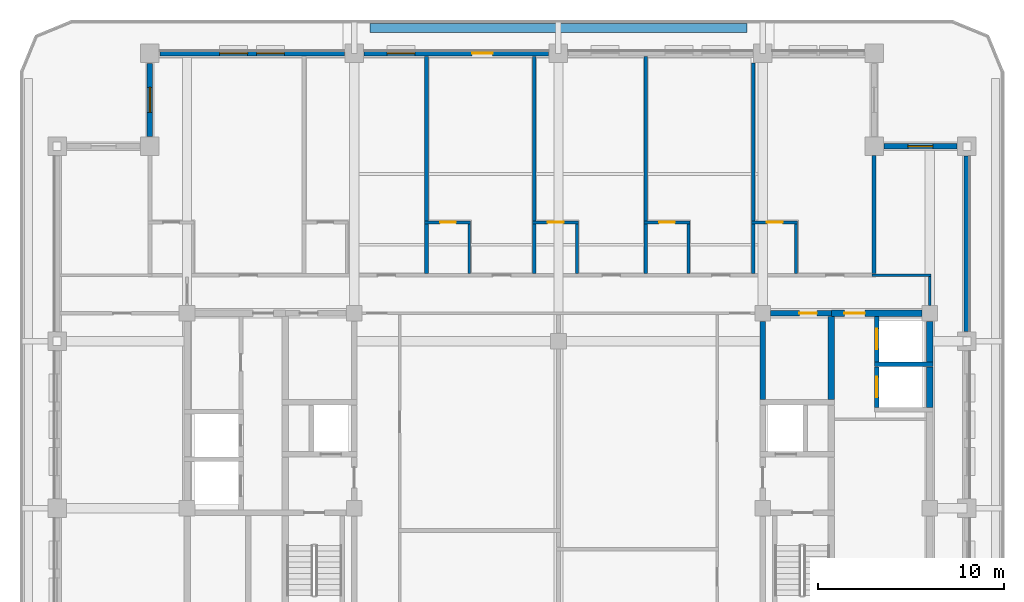
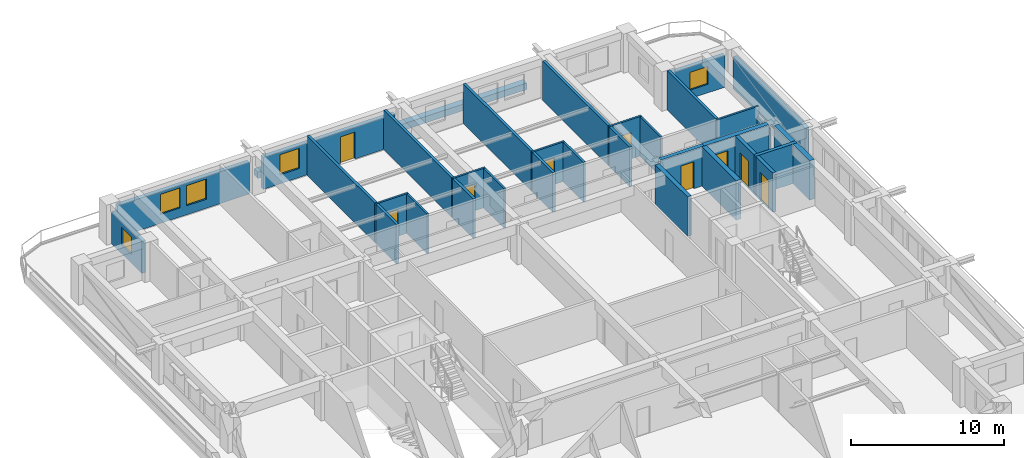
# One storey, part 6 of 14: 34 walls, 9 doors, 5 windows, 14 openings.
"""IFC4 building model written with IfcOpenShell, lengths in metres."""

import ifcopenshell
import ifcopenshell.guid

model = None  # the IFC model being written
_history = None  # IfcOwnerHistory: only IFC2X3 demands one
_inside = {}  # id of a spatial element -> (the spatial element, [elements in it])
_under = {}  # id of a project, library or spatial element -> (it, [spatial elements below it])
_declared = {}  # id of a project -> (the project, [libraries it declares])
_typed = {}  # id of a type object -> (the type object, [elements of that type])
_made_of = {}  # id of a material, layer set ... -> (it, [elements and type objects made of it])


def new_model(schema):
    """Start an empty IFC model of exactly this schema.

    Asked for "IFC4X3", IfcOpenShell would pick the latest addendum, in which some entities
    have other attributes; the version numbers below select the first issue.
    IFC2X3 requires an IfcOwnerHistory on every rooted entity: one is made here for all.
    """
    global model, _history
    if schema == "IFC4X3":
        model = ifcopenshell.file(schema_version=(4, 3, 0, 0))
    else:
        model = ifcopenshell.file(schema=schema)
    _inside.clear()
    _under.clear()
    _declared.clear()
    _typed.clear()
    _made_of.clear()
    _history = None
    if model.schema == "IFC2X3":
        org = make("IfcOrganization", Name="unknown")
        user = make(
            "IfcPersonAndOrganization",
            ThePerson=make("IfcPerson", FamilyName="unknown"),
            TheOrganization=org,
        )
        app = make(
            "IfcApplication",
            ApplicationDeveloper=org,
            Version="unknown",
            ApplicationFullName="unknown",
            ApplicationIdentifier="unknown",
        )
        _history = make(
            "IfcOwnerHistory",
            OwningUser=user,
            OwningApplication=app,
            ChangeAction="ADDED",
            CreationDate=0,
        )
    return model


def make(cls, **values):
    """One entity of the class cls with the attributes given. An attribute that is None is left unset."""
    return model.create_entity(
        cls, **{name: value for name, value in values.items() if value is not None}
    )


def rooted(cls, **values):
    """An entity with a GlobalId (a new one), such as an element, a storey or a relation."""
    return make(cls, GlobalId=ifcopenshell.guid.new(), OwnerHistory=_history, **values)


def si_unit(unit_type, name, prefix=None):
    """IfcSIUnit, for example si_unit("LENGTHUNIT", "METRE", prefix="MILLI")."""
    return make("IfcSIUnit", UnitType=unit_type, Prefix=prefix, Name=name)


def assignment(units):
    """IfcUnitAssignment: the units of a project."""
    return None if units is None else make("IfcUnitAssignment", Units=units)


def point(xyz):
    """IfcCartesianPoint."""
    return None if xyz is None else make("IfcCartesianPoint", Coordinates=xyz)


def direction(xyz):
    """IfcDirection."""
    return None if xyz is None else make("IfcDirection", DirectionRatios=xyz)


def frame(location, z_axis=None, x_axis=None):
    """IfcAxis2Placement3D, a coordinate frame: its origin and axes. An axis left out is left unset."""
    return make(
        "IfcAxis2Placement3D",
        Location=point(location),
        Axis=direction(z_axis),
        RefDirection=direction(x_axis),
    )


def frame_2d(location, x_axis=None):
    """IfcAxis2Placement2D, a coordinate frame in the plane: its origin and x axis."""
    return make(
        "IfcAxis2Placement2D", Location=point(location), RefDirection=direction(x_axis)
    )


def origin():
    """The frame at (0, 0, 0) with its axes left unset."""
    return frame((0.0, 0.0, 0.0))


def place(relative_to, where):
    """IfcLocalPlacement: puts the frame where relative to a parent placement (None: the world)."""
    return make(
        "IfcLocalPlacement", PlacementRelTo=relative_to, RelativePlacement=where
    )


def context(
    kind, dimensions, precision=None, world=None, true_north=None, identifier=None
):
    """IfcGeometricRepresentationContext, for example the 3D "Model" context."""
    return make(
        "IfcGeometricRepresentationContext",
        ContextIdentifier=identifier,
        ContextType=kind,
        CoordinateSpaceDimension=dimensions,
        Precision=precision,
        WorldCoordinateSystem=world,
        TrueNorth=true_north,
    )


def subcontext(parent, identifier, kind, view, scale=None):
    """IfcGeometricRepresentationSubContext, for example "Body" below "Model"."""
    return make(
        "IfcGeometricRepresentationSubContext",
        ContextIdentifier=identifier,
        ContextType=kind,
        ParentContext=parent,
        TargetScale=scale,
        TargetView=view,
    )


def project(units=None, contexts=None):
    """IfcProject with its units and contexts."""
    return rooted(
        "IfcProject",
        Name="project",
        RepresentationContexts=contexts,
        UnitsInContext=assignment(units),
    )


def spatial(cls, under=None, at=None, **own):
    """A site, building, storey or space (cls), placed at a placement, below another one or the project."""
    s = rooted(cls, ObjectPlacement=at, **own)
    if under is not None:
        _under.setdefault(under.id(), (under, []))[1].append(s)
    return s


def profile(cls, at=None, kind="AREA", **sizes):
    """A parametric profile (cls). Its sizes go by their IFC names, for example OverallWidth=200.0."""
    return make(cls, ProfileType=kind, Position=at, **sizes)


def rectangle(**sizes):
    """IfcRectangleProfileDef."""
    return profile("IfcRectangleProfileDef", **sizes)


def extrude(swept, where, along, depth):
    """IfcExtrudedAreaSolid: the profile swept, set in the frame where, extruded along a direction by depth."""
    return make(
        "IfcExtrudedAreaSolid",
        SweptArea=swept,
        Position=where,
        ExtrudedDirection=direction(along),
        Depth=depth,
    )


def shape(context_of_items, identifier, shape_type, items):
    """IfcShapeRepresentation: the items that make up one representation, for example the "Body"."""
    return make(
        "IfcShapeRepresentation",
        ContextOfItems=context_of_items,
        RepresentationIdentifier=identifier,
        RepresentationType=shape_type,
        Items=items,
    )


def material(Name=None, Category=None):
    """IfcMaterial."""
    return make("IfcMaterial", Name=Name, Category=Category)


def layer(
    of_material, thickness, ventilated=None, Name=None, Category=None, Priority=None
):
    """IfcMaterialLayer: one layer of a wall or slab, of a material (None: an air gap)."""
    return make(
        "IfcMaterialLayer",
        Material=of_material,
        LayerThickness=thickness,
        IsVentilated=ventilated,
        Name=Name,
        Category=Category,
        Priority=Priority,
    )


def layer_set(layers, Name=None):
    """IfcMaterialLayerSet."""
    return make("IfcMaterialLayerSet", MaterialLayers=layers, LayerSetName=Name)


def made_of(thing, what):
    """Note that an element or type object is made of a material, layer set ...; save() writes the relation."""
    if what is not None:
        _made_of.setdefault(what.id(), (what, []))[1].append(thing)
    return thing


def type_object(cls, material=None, **own):
    """A type object (cls), such as IfcWallType, which elements share."""
    return made_of(rooted(cls, **own), material)


def element(
    cls,
    number,
    at=None,
    inside=None,
    cuts=None,
    type_object=None,
    material=None,
    context=None,
    identifier="Body",
    shape_type=None,
    held_by="IfcProductDefinitionShape",
    body=None,
    shapes=None,
    **own,
):
    """One element of the class cls, such as IfcWall. Its Tag is "e" and its number.

    at: its placement. inside: the storey or other place that contains it. cuts: it is an
    opening in that element (IfcRelVoidsElement). A single representation is given by context,
    identifier, shape_type and body (its items); several are given by shapes. held_by: the class
    of the entity that holds the representations. save() writes the other relations.
    """
    e = rooted(cls, Tag="e%d" % number, ObjectPlacement=at, **own)
    if body is not None:
        shapes = [shape(context, identifier, shape_type, body)]
    if shapes is not None:
        e.Representation = make(held_by, Representations=shapes)
    if inside is not None:
        _inside.setdefault(inside.id(), (inside, []))[1].append(e)
    if cuts is not None:
        rooted(
            "IfcRelVoidsElement", RelatingBuildingElement=cuts, RelatedOpeningElement=e
        )
    if type_object is not None:
        _typed.setdefault(type_object.id(), (type_object, []))[1].append(e)
    return made_of(e, material)


def fill(opening, filler):
    """IfcRelFillsElement: the door or window that sits in an opening."""
    return rooted(
        "IfcRelFillsElement",
        RelatingOpeningElement=opening,
        RelatedBuildingElement=filler,
    )


def aggregate(whole, parts):
    """IfcRelAggregates: a whole, such as a stair, and the parts it consists of."""
    return rooted("IfcRelAggregates", RelatingObject=whole, RelatedObjects=parts)


def save(model, path):
    """Write the relations noted so far, then the file.

    IfcRelAggregates (storeys below a building ...), IfcRelContainedInSpatialStructure (elements
    in a storey), IfcRelDefinesByType, IfcRelAssociatesMaterial and IfcRelDeclares: one each for
    every whole, place, type object, material and project.
    """
    for whole, parts in _under.values():
        aggregate(whole, parts)
    for where, things in _inside.values():
        rooted(
            "IfcRelContainedInSpatialStructure",
            RelatedElements=things,
            RelatingStructure=where,
        )
    for kind, things in _typed.values():
        rooted("IfcRelDefinesByType", RelatedObjects=things, RelatingType=kind)
    for what, things in _made_of.values():
        rooted("IfcRelAssociatesMaterial", RelatedObjects=things, RelatingMaterial=what)
    for by, libraries in _declared.values():
        rooted("IfcRelDeclares", RelatingContext=by, RelatedDefinitions=libraries)
    model.write(path)


model = new_model("IFC4")

# Units and contexts
model_context = context("Model", 3, precision=1e-05, world=origin(), true_north=direction((0.0, 1.0)))
body_context = subcontext(model_context, "Body", "Model", "MODEL_VIEW")
ifc_project = project(units=[si_unit("LENGTHUNIT", "METRE"), si_unit("AREAUNIT", "SQUARE_METRE"), si_unit("VOLUMEUNIT", "CUBIC_METRE"), si_unit("PLANEANGLEUNIT", "RADIAN"), si_unit("MASSUNIT", "GRAM", prefix="KILO")], contexts=[model_context])

# Site, building, storey
site_placement = place(None, origin())
site = spatial("IfcSite", under=ifc_project, at=site_placement, CompositionType="ELEMENT")
building_placement = place(site_placement, origin())
building = spatial("IfcBuilding", under=site, at=building_placement, Name="Zulmaris Gate Convention Tower", CompositionType="ELEMENT")
storey_placement = place(building_placement, frame((0.0, 0.0, 194.85986328125)))
storey = spatial("IfcBuildingStorey", under=building, at=storey_placement, Name="L50", CompositionType="ELEMENT", Elevation=194.85986328125)

# Wall
ifc_material_1 = material(Name="Concrete C50/60", Category="concrete")
ifc_layer_1 = layer(ifc_material_1, 0.25, Name="Concrete C50/60")
ifc_layer_set_1 = layer_set([ifc_layer_1], Name="Concrete C50/60")
wall_type_1 = type_object("IfcWallType", Name="CORE-250", PredefinedType="SOLIDWALL", material=ifc_layer_set_1)
wall_1_placement = place(storey_placement, frame((17.02490234375, 7.75, 0.0), z_axis=(0.0, 0.0, 1.0), x_axis=(1.0, 0.0, 0.0)))
element("IfcWall", 1, at=wall_1_placement, inside=storey, type_object=wall_type_1, Name="WL-L50-014", PredefinedType="SOLIDWALL", context=body_context, shape_type="SweptSolid", body=[
    extrude(rectangle(XDim=3.150146484375, YDim=0.25, at=frame_2d((1.5751953125, 0.0))), origin(), (0.0, 0.0, 1.0), 3.150146484375),
])

# Wall, opening, door
wall_2_placement = place(storey_placement, frame((17.14990234375, 5.427001953125, 0.0), z_axis=(0.0, 0.0, 1.0), x_axis=(0.0, 1.0, 0.0)))
wall_2 = element("IfcWall", 2, at=wall_2_placement, inside=storey, type_object=wall_type_1, Name="WL-L50-067", PredefinedType="SOLIDWALL", context=body_context, shape_type="SweptSolid", body=[
    extrude(rectangle(XDim=2.196044921875, YDim=0.25, at=frame_2d((1.09814453125, 0.0))), origin(), (0.0, 0.0, 1.0), 3.150146484375),
])
opening_1_placement = place(wall_2_placement, frame((0.548095703125, 0.0, 0.0)))
opening_1 = element("IfcOpeningElement", 3, at=opening_1_placement, cuts=wall_2, Name="Opening D-06", PredefinedType="OPENING", context=body_context, shape_type="SweptSolid", body=[
    extrude(rectangle(XDim=1.10009765625, YDim=2.199951171875, at=frame_2d((0.550048828125, 1.10009765625))), frame((0.0, 0.135009765625, 0.0), z_axis=(0.0, -1.0, 0.0), x_axis=(1.0, 0.0, 0.0)), (0.0, 0.0, 1.0), 0.27001953125),
])
ifc_material_2 = material(Name="Brushed Stainless Steel", Category="steel")
door_type_1 = type_object("IfcDoorType", Name="LD-1100", OperationType="NOTDEFINED", PredefinedType="DOOR", material=ifc_material_2)
door_1_placement = place(opening_1_placement, origin())
door_1 = element("IfcDoor", 4, at=door_1_placement, inside=storey, type_object=door_type_1, Name="L50 Lift Landing Door HP-01 14", OperationType="SLIDING_TO_RIGHT", OverallHeight=2.199951171875, OverallWidth=1.10009765625, PredefinedType="DOOR", context=body_context, shape_type="SweptSolid", body=[
    extrude(rectangle(XDim=1.10009765625, YDim=2.199951171875, at=frame_2d((0.550048828125, 1.10009765625))), frame((0.0, 0.02490234375, 0.0), z_axis=(0.0, -1.0, 0.0), x_axis=(1.0, 0.0, 0.0)), (0.0, 0.0, 1.0), 0.050048828125),
])
fill(opening_1, door_1)

wall_3_placement = place(storey_placement, frame((17.14990234375, 7.876953125, 0.0), z_axis=(0.0, 0.0, 1.0), x_axis=(0.0, 1.0, 0.0)))
wall_3 = element("IfcWall", 5, at=wall_3_placement, inside=storey, type_object=wall_type_1, Name="WL-L50-068", PredefinedType="SOLIDWALL", context=body_context, shape_type="SweptSolid", body=[
    extrude(rectangle(XDim=2.446044921875, YDim=0.25, at=frame_2d((1.22314453125, 0.0))), origin(), (0.0, 0.0, 1.0), 3.150146484375),
])
opening_2_placement = place(wall_3_placement, frame((0.697998046875, 0.0, 0.0)))
opening_2 = element("IfcOpeningElement", 6, at=opening_2_placement, cuts=wall_3, Name="Opening D-06", PredefinedType="OPENING", context=body_context, shape_type="SweptSolid", body=[
    extrude(rectangle(XDim=1.10009765625, YDim=2.199951171875, at=frame_2d((0.550048828125, 1.10009765625))), frame((0.0, 0.135009765625, 0.0), z_axis=(0.0, -1.0, 0.0), x_axis=(1.0, 0.0, 0.0)), (0.0, 0.0, 1.0), 0.27001953125),
])
door_2_placement = place(opening_2_placement, origin())
door_2 = element("IfcDoor", 7, at=door_2_placement, inside=storey, type_object=door_type_1, Name="L50 Lift Landing Door HP-02 15", OperationType="SLIDING_TO_RIGHT", OverallHeight=2.199951171875, OverallWidth=1.10009765625, PredefinedType="DOOR", context=body_context, shape_type="SweptSolid", body=[
    extrude(rectangle(XDim=1.10009765625, YDim=2.199951171875, at=frame_2d((0.550048828125, 1.10009765625))), frame((0.0, 0.02490234375, 0.0), z_axis=(0.0, -1.0, 0.0), x_axis=(1.0, 0.0, 0.0)), (0.0, 0.0, 1.0), 0.050048828125),
])
fill(opening_2, door_2)

ifc_layer_2 = layer(ifc_material_1, 0.300048828125, Name="Concrete C50/60")
ifc_layer_set_2 = layer_set([ifc_layer_2], Name="Concrete C50/60")
wall_type_2 = type_object("IfcWallType", Name="CORE-300", PredefinedType="SHEAR", material=ifc_layer_set_2)
wall_4_placement = place(storey_placement, frame((11.428955078125, 10.5, 0.0), z_axis=(0.0, 0.0, 1.0), x_axis=(1.0, 0.0, 0.0)))
wall_4 = element("IfcWall", 8, at=wall_4_placement, inside=storey, type_object=wall_type_2, Name="WL-L50-017", PredefinedType="SHEAR", context=body_context, shape_type="SweptSolid", body=[
    extrude(rectangle(XDim=3.27099609375, YDim=0.300048828125, at=frame_2d((1.635498046875, 0.0))), origin(), (0.0, 0.0, 1.0), 3.150146484375),
])
opening_3_placement = place(wall_4_placement, frame((1.5458984375, 0.0, 0.0)))
opening_3 = element("IfcOpeningElement", 9, at=opening_3_placement, cuts=wall_4, Name="Opening D-11", PredefinedType="OPENING", context=body_context, shape_type="SweptSolid", body=[
    extrude(rectangle(XDim=0.949951171875, YDim=2.14990234375, at=frame_2d((0.47509765625, 1.074951171875))), frame((0.0, 0.16015625, 0.0), z_axis=(0.0, -1.0, 0.0), x_axis=(1.0, 0.0, 0.0)), (0.0, 0.0, 1.0), 0.320068359375),
])
ifc_material_3 = material(Name="Fire-Rated Timber", Category="wood")
door_type_2 = type_object("IfcDoorType", Name="DR-950-FD", OperationType="NOTDEFINED", PredefinedType="DOOR", material=ifc_material_3)
door_3_placement = place(opening_3_placement, origin())
door_3 = element("IfcDoor", 10, at=door_3_placement, inside=storey, type_object=door_type_2, Name="L50 Core Cleaners Store Door 08", OperationType="SINGLE_SWING_LEFT", OverallHeight=2.14990234375, OverallWidth=0.949951171875, PredefinedType="DOOR", context=body_context, shape_type="SweptSolid", body=[
    extrude(rectangle(XDim=0.949951171875, YDim=2.14990234375, at=frame_2d((0.47509765625, 1.074951171875))), frame((0.0, 0.02490234375, 0.0), z_axis=(0.0, -1.0, 0.0), x_axis=(1.0, 0.0, 0.0)), (0.0, 0.0, 1.0), 0.050048828125),
])
fill(opening_3, door_3)

# Wall
wall_5_placement = place(storey_placement, frame((11.0, 5.85205078125, 0.0), z_axis=(0.0, 0.0, 1.0), x_axis=(0.0, 1.0, 0.0)))
element("IfcWall", 11, at=wall_5_placement, inside=storey, type_object=wall_type_2, Name="WL-L50-060", PredefinedType="SHEAR", context=body_context, shape_type="SweptSolid", body=[
    extrude(rectangle(XDim=4.218994140625, YDim=0.300048828125, at=frame_2d((2.109375, 0.0))), origin(), (0.0, 0.0, 1.0), 3.150146484375),
])

# Wall, opening, door
ifc_material_4 = material(Name="Concrete C55/67", Category="concrete")
ifc_layer_3 = layer(ifc_material_4, 0.35009765625, Name="Concrete C55/67")
ifc_layer_set_3 = layer_set([ifc_layer_3], Name="Concrete C55/67")
wall_type_3 = type_object("IfcWallType", Name="CORE-350", PredefinedType="SHEAR", material=ifc_layer_set_3)
wall_6_placement = place(storey_placement, frame((14.699951171875, 10.5, 0.0), z_axis=(0.0, 0.0, 1.0), x_axis=(1.0, 0.0, 0.0)))
wall_6 = element("IfcWall", 12, at=wall_6_placement, inside=storey, type_object=wall_type_3, Name="WL-L50-018", PredefinedType="SHEAR", context=body_context, shape_type="SweptSolid", body=[
    extrude(rectangle(XDim=4.87109375, YDim=0.35009765625, at=frame_2d((2.435546875, 0.0))), origin(), (0.0, 0.0, 1.0), 3.150146484375),
])
opening_4_placement = place(wall_6_placement, frame((0.699951171875, 0.0, 0.0)))
opening_4 = element("IfcOpeningElement", 13, at=opening_4_placement, cuts=wall_6, Name="Opening D-08", PredefinedType="OPENING", context=body_context, shape_type="SweptSolid", body=[
    extrude(rectangle(XDim=1.10009765625, YDim=2.14990234375, at=frame_2d((0.550048828125, 1.074951171875))), frame((0.0, 0.18505859375, 0.0), z_axis=(0.0, -1.0, 0.0), x_axis=(1.0, 0.0, 0.0)), (0.0, 0.0, 1.0), 0.3701171875),
])
ifc_material_5 = material(Name="Fire-Rated Steel", Category="steel")
door_type_3 = type_object("IfcDoorType", Name="DR-1100-FD", OperationType="NOTDEFINED", PredefinedType="DOOR", material=ifc_material_5)
door_4_placement = place(opening_4_placement, origin())
door_4 = element("IfcDoor", 14, at=door_4_placement, inside=storey, type_object=door_type_3, Name="L50 High-Rise East Lift Lobby Door 16", OperationType="SINGLE_SWING_LEFT", OverallHeight=2.14990234375, OverallWidth=1.10009765625, PredefinedType="DOOR", context=body_context, shape_type="SweptSolid", body=[
    extrude(rectangle(XDim=1.10009765625, YDim=2.14990234375, at=frame_2d((0.550048828125, 1.074951171875))), frame((0.0, 0.02490234375, 0.0), z_axis=(0.0, -1.0, 0.0), x_axis=(1.0, 0.0, 0.0)), (0.0, 0.0, 1.0), 0.050048828125),
])
fill(opening_4, door_4)

# Walls
wall_7_placement = place(storey_placement, frame((14.699951171875, 5.85205078125, 0.0), z_axis=(0.0, 0.0, 1.0), x_axis=(0.0, 1.0, 0.0)))
element("IfcWall", 15, at=wall_7_placement, inside=storey, type_object=wall_type_3, Name="WL-L50-066", PredefinedType="SHEAR", context=body_context, shape_type="SweptSolid", body=[
    extrude(rectangle(XDim=4.470947265625, YDim=0.35009765625, at=frame_2d((2.2353515625, 0.0))), origin(), (0.0, 0.0, 1.0), 3.150146484375),
])
wall_8_placement = place(storey_placement, frame((20.0, 5.427001953125, 0.0), z_axis=(0.0, 0.0, 1.0), x_axis=(0.0, 1.0, 0.0)))
element("IfcWall", 16, at=wall_8_placement, inside=storey, type_object=wall_type_3, Name="WL-L50-070", PredefinedType="SHEAR", context=body_context, shape_type="SweptSolid", body=[
    extrude(rectangle(XDim=2.196044921875, YDim=0.35009765625, at=frame_2d((1.09814453125, 0.0))), origin(), (0.0, 0.0, 1.0), 3.150146484375),
])
wall_9_placement = place(storey_placement, frame((20.0, 7.876953125, 0.0), z_axis=(0.0, 0.0, 1.0), x_axis=(0.0, 1.0, 0.0)))
element("IfcWall", 17, at=wall_9_placement, inside=storey, type_object=wall_type_3, Name="WL-L50-071", PredefinedType="SHEAR", context=body_context, shape_type="SweptSolid", body=[
    extrude(rectangle(XDim=2.194091796875, YDim=0.35009765625, at=frame_2d((1.09716796875, 0.0))), origin(), (0.0, 0.0, 1.0), 3.150146484375),
])
ifc_material_6 = material(Name="Gypsum Metal Stud Partition")
ifc_layer_4 = layer(ifc_material_6, 0.14990234375, Name="Gypsum Metal Stud Partition")
ifc_layer_set_4 = layer_set([ifc_layer_4], Name="Gypsum Metal Stud Partition")
wall_type_4 = type_object("IfcWallType", Name="PART-150", PredefinedType="PARTITIONING", material=ifc_layer_set_4)
wall_10_placement = place(storey_placement, frame((16.89990234375, 12.550048828125, 0.0), z_axis=(0.0, 0.0, 1.0), x_axis=(1.0, 0.0, 0.0)))
element("IfcWall", 18, at=wall_10_placement, inside=storey, type_object=wall_type_4, Name="WL-L50-033", PredefinedType="PARTITIONING", context=body_context, shape_type="SweptSolid", body=[
    extrude(rectangle(XDim=3.175048828125, YDim=0.14990234375, at=frame_2d((1.58740234375, 0.0))), origin(), (0.0, 0.0, 1.0), 3.150146484375),
])

# Wall, opening, door
wall_11_placement = place(storey_placement, frame((-7.199951171875, 15.39990234375, 0.0), z_axis=(0.0, 0.0, 1.0), x_axis=(1.0, 0.0, 0.0)))
wall_11 = element("IfcWall", 19, at=wall_11_placement, inside=storey, type_object=wall_type_4, Name="WL-L50-036", PredefinedType="PARTITIONING", context=body_context, shape_type="SweptSolid", body=[
    extrude(rectangle(XDim=2.474853515625, YDim=0.14990234375, at=frame_2d((1.2373046875, 0.0))), origin(), (0.0, 0.0, 1.0), 3.150146484375),
])
opening_5_placement = place(wall_11_placement, frame((0.824951171875, 0.0, 0.0)))
opening_5 = element("IfcOpeningElement", 20, at=opening_5_placement, cuts=wall_11, Name="Opening D-17", PredefinedType="OPENING", context=body_context, shape_type="SweptSolid", body=[
    extrude(rectangle(XDim=0.85009765625, YDim=2.10009765625, at=frame_2d((0.425048828125, 1.050048828125))), frame((0.0, 0.0849609375, 0.0), z_axis=(0.0, -1.0, 0.0), x_axis=(1.0, 0.0, 0.0)), (0.0, 0.0, 1.0), 0.169921875),
])
ifc_material_7 = material(Name="Moisture-Resistant Hardwood Timber", Category="wood")
door_type_4 = type_object("IfcDoorType", Name="DR-850", OperationType="NOTDEFINED", PredefinedType="DOOR", material=ifc_material_7)
door_5_placement = place(opening_5_placement, origin())
door_5 = element("IfcDoor", 21, at=door_5_placement, inside=storey, type_object=door_type_4, Name="L50 En-Suite Door 27", OperationType="SINGLE_SWING_RIGHT", OverallHeight=2.10009765625, OverallWidth=0.85009765625, PredefinedType="DOOR", context=body_context, shape_type="SweptSolid", body=[
    extrude(rectangle(XDim=0.85009765625, YDim=2.10009765625, at=frame_2d((0.425048828125, 1.050048828125))), frame((0.0, 0.02490234375, 0.0), z_axis=(0.0, -1.0, 0.0), x_axis=(1.0, 0.0, 0.0)), (0.0, 0.0, 1.0), 0.050048828125),
])
fill(opening_5, door_5)

wall_12_placement = place(storey_placement, frame((-1.39990234375, 15.39990234375, 0.0), z_axis=(0.0, 0.0, 1.0), x_axis=(1.0, 0.0, 0.0)))
wall_12 = element("IfcWall", 22, at=wall_12_placement, inside=storey, type_object=wall_type_4, Name="WL-L50-037", PredefinedType="PARTITIONING", context=body_context, shape_type="SweptSolid", body=[
    extrude(rectangle(XDim=2.474853515625, YDim=0.14990234375, at=frame_2d((1.2373046875, 0.0))), origin(), (0.0, 0.0, 1.0), 3.150146484375),
])
opening_6_placement = place(wall_12_placement, frame((0.824951171875, 0.0, 0.0)))
opening_6 = element("IfcOpeningElement", 23, at=opening_6_placement, cuts=wall_12, Name="Opening D-17", PredefinedType="OPENING", context=body_context, shape_type="SweptSolid", body=[
    extrude(rectangle(XDim=0.85009765625, YDim=2.10009765625, at=frame_2d((0.425048828125, 1.050048828125))), frame((0.0, 0.0849609375, 0.0), z_axis=(0.0, -1.0, 0.0), x_axis=(1.0, 0.0, 0.0)), (0.0, 0.0, 1.0), 0.169921875),
])
door_6_placement = place(opening_6_placement, origin())
door_6 = element("IfcDoor", 24, at=door_6_placement, inside=storey, type_object=door_type_4, Name="L50 En-Suite Door 29", OperationType="SINGLE_SWING_RIGHT", OverallHeight=2.10009765625, OverallWidth=0.85009765625, PredefinedType="DOOR", context=body_context, shape_type="SweptSolid", body=[
    extrude(rectangle(XDim=0.85009765625, YDim=2.10009765625, at=frame_2d((0.425048828125, 1.050048828125))), frame((0.0, 0.02490234375, 0.0), z_axis=(0.0, -1.0, 0.0), x_axis=(1.0, 0.0, 0.0)), (0.0, 0.0, 1.0), 0.050048828125),
])
fill(opening_6, door_6)

wall_13_placement = place(storey_placement, frame((4.60009765625, 15.39990234375, 0.0), z_axis=(0.0, 0.0, 1.0), x_axis=(1.0, 0.0, 0.0)))
wall_13 = element("IfcWall", 25, at=wall_13_placement, inside=storey, type_object=wall_type_4, Name="WL-L50-038", PredefinedType="PARTITIONING", context=body_context, shape_type="SweptSolid", body=[
    extrude(rectangle(XDim=2.474853515625, YDim=0.14990234375, at=frame_2d((1.2373046875, 0.0))), origin(), (0.0, 0.0, 1.0), 3.150146484375),
])
opening_7_placement = place(wall_13_placement, frame((0.824951171875, 0.0, 0.0)))
opening_7 = element("IfcOpeningElement", 26, at=opening_7_placement, cuts=wall_13, Name="Opening D-17", PredefinedType="OPENING", context=body_context, shape_type="SweptSolid", body=[
    extrude(rectangle(XDim=0.85009765625, YDim=2.10009765625, at=frame_2d((0.425048828125, 1.050048828125))), frame((0.0, 0.0849609375, 0.0), z_axis=(0.0, -1.0, 0.0), x_axis=(1.0, 0.0, 0.0)), (0.0, 0.0, 1.0), 0.169921875),
])
door_7_placement = place(opening_7_placement, origin())
door_7 = element("IfcDoor", 27, at=door_7_placement, inside=storey, type_object=door_type_4, Name="L50 En-Suite Door 31", OperationType="SINGLE_SWING_RIGHT", OverallHeight=2.10009765625, OverallWidth=0.85009765625, PredefinedType="DOOR", context=body_context, shape_type="SweptSolid", body=[
    extrude(rectangle(XDim=0.85009765625, YDim=2.10009765625, at=frame_2d((0.425048828125, 1.050048828125))), frame((0.0, 0.02490234375, 0.0), z_axis=(0.0, -1.0, 0.0), x_axis=(1.0, 0.0, 0.0)), (0.0, 0.0, 1.0), 0.050048828125),
])
fill(opening_7, door_7)

wall_14_placement = place(storey_placement, frame((10.39990234375, 15.39990234375, 0.0), z_axis=(0.0, 0.0, 1.0), x_axis=(1.0, 0.0, 0.0)))
wall_14 = element("IfcWall", 28, at=wall_14_placement, inside=storey, type_object=wall_type_4, Name="WL-L50-039", PredefinedType="PARTITIONING", context=body_context, shape_type="SweptSolid", body=[
    extrude(rectangle(XDim=2.47509765625, YDim=0.14990234375, at=frame_2d((1.237548828125, 0.0))), origin(), (0.0, 0.0, 1.0), 3.150146484375),
])
opening_8_placement = place(wall_14_placement, frame((0.824951171875, 0.0, 0.0)))
opening_8 = element("IfcOpeningElement", 29, at=opening_8_placement, cuts=wall_14, Name="Opening D-17", PredefinedType="OPENING", context=body_context, shape_type="SweptSolid", body=[
    extrude(rectangle(XDim=0.85009765625, YDim=2.10009765625, at=frame_2d((0.425048828125, 1.050048828125))), frame((0.0, 0.0849609375, 0.0), z_axis=(0.0, -1.0, 0.0), x_axis=(1.0, 0.0, 0.0)), (0.0, 0.0, 1.0), 0.169921875),
])
door_8_placement = place(opening_8_placement, origin())
door_8 = element("IfcDoor", 30, at=door_8_placement, inside=storey, type_object=door_type_4, Name="L50 En-Suite Door 33", OperationType="SINGLE_SWING_RIGHT", OverallHeight=2.10009765625, OverallWidth=0.85009765625, PredefinedType="DOOR", context=body_context, shape_type="SweptSolid", body=[
    extrude(rectangle(XDim=0.85009765625, YDim=2.10009765625, at=frame_2d((0.425048828125, 1.050048828125))), frame((0.0, 0.02490234375, 0.0), z_axis=(0.0, -1.0, 0.0), x_axis=(1.0, 0.0, 0.0)), (0.0, 0.0, 1.0), 0.050048828125),
])
fill(opening_8, door_8)

# Walls
for number, where, z_axis, x_axis, name in (
    (31, (-4.800048828125, 12.653076171875, 0.0), (0.0, 0.0, 1.0), (0.0, 1.0, 0.0), "WL-L50-088"),
    (32, (1.0, 12.653076171875, 0.0), (0.0, 0.0, 1.0), (0.0, 1.0, 0.0), "WL-L50-096"),
    (33, (7.0, 12.653076171875, 0.0), (0.0, 0.0, 1.0), (0.0, 1.0, 0.0), "WL-L50-102"),
    (34, (12.800048828125, 12.653076171875, 0.0), (0.0, 0.0, 1.0), (0.0, 1.0, 0.0), "WL-L50-109"),
):
    element("IfcWall", number, at=place(storey_placement, frame(where, z_axis=z_axis, x_axis=x_axis)), inside=storey, type_object=wall_type_4, Name=name, PredefinedType="PARTITIONING", context=body_context, shape_type="SweptSolid", body=[
        extrude(rectangle(XDim=2.6689453125, YDim=0.14990234375, at=frame_2d((1.33447265625, 0.0))), origin(), (0.0, 0.0, 1.0), 3.150146484375),
    ])
wall_15_placement = place(storey_placement, frame((20.0, 10.930908203125, 0.0), z_axis=(0.0, 0.0, 1.0), x_axis=(0.0, 1.0, 0.0)))
element("IfcWall", 35, at=wall_15_placement, inside=storey, type_object=wall_type_4, Name="WL-L50-113", PredefinedType="PARTITIONING", context=body_context, shape_type="SweptSolid", body=[
    extrude(rectangle(XDim=1.541015625, YDim=0.14990234375, at=frame_2d((0.7705078125, 0.0))), origin(), (0.0, 0.0, 1.0), 2.342041015625),
])
ifc_material_8 = material(Name="Autoclaved Aerated Concrete Block and Plasterboard", Category="concrete")
ifc_layer_5 = layer(ifc_material_8, 0.199951171875, Name="Autoclaved Aerated Concrete Block and Plasterboard")
ifc_layer_set_5 = layer_set([ifc_layer_5], Name="Autoclaved Aerated Concrete Block and Plasterboard")
wall_type_5 = type_object("IfcWallType", Name="PART-200", PredefinedType="PARTITIONING", material=ifc_layer_set_5)
wall_16_placement = place(storey_placement, frame((-7.10009765625, 12.653076171875, 0.0), z_axis=(0.0, 0.0, 1.0), x_axis=(0.0, 1.0, 0.0)))
element("IfcWall", 36, at=wall_16_placement, inside=storey, type_object=wall_type_5, Name="WL-L50-084", PredefinedType="PARTITIONING", context=body_context, shape_type="SweptSolid", body=[
    extrude(rectangle(XDim=2.6689453125, YDim=0.199951171875, at=frame_2d((1.33447265625, 0.0))), origin(), (0.0, 0.0, 1.0), 3.150146484375),
])
wall_17_placement = place(storey_placement, frame((-7.10009765625, 15.47802734375, 0.0), z_axis=(0.0, 0.0, 1.0), x_axis=(0.0, 1.0, 0.0)))
element("IfcWall", 37, at=wall_17_placement, inside=storey, type_object=wall_type_5, Name="WL-L50-085", PredefinedType="PARTITIONING", context=body_context, shape_type="SweptSolid", body=[
    extrude(rectangle(XDim=8.85693359375, YDim=0.199951171875, at=frame_2d((4.428466796875, 0.0))), origin(), (0.0, 0.0, 1.0), 3.150146484375),
])
wall_18_placement = place(storey_placement, frame((-1.300048828125, 12.653076171875, 0.0), z_axis=(0.0, 0.0, 1.0), x_axis=(0.0, 1.0, 0.0)))
element("IfcWall", 38, at=wall_18_placement, inside=storey, type_object=wall_type_5, Name="WL-L50-090", PredefinedType="PARTITIONING", context=body_context, shape_type="SweptSolid", body=[
    extrude(rectangle(XDim=2.6689453125, YDim=0.199951171875, at=frame_2d((1.33447265625, 0.0))), origin(), (0.0, 0.0, 1.0), 3.150146484375),
])
wall_19_placement = place(storey_placement, frame((-1.300048828125, 15.47802734375, 0.0), z_axis=(0.0, 0.0, 1.0), x_axis=(0.0, 1.0, 0.0)))
element("IfcWall", 39, at=wall_19_placement, inside=storey, type_object=wall_type_5, Name="WL-L50-091", PredefinedType="PARTITIONING", context=body_context, shape_type="SweptSolid", body=[
    extrude(rectangle(XDim=8.85693359375, YDim=0.199951171875, at=frame_2d((4.428466796875, 0.0))), origin(), (0.0, 0.0, 1.0), 3.150146484375),
])
wall_20_placement = place(storey_placement, frame((4.699951171875, 12.653076171875, 0.0), z_axis=(0.0, 0.0, 1.0), x_axis=(0.0, 1.0, 0.0)))
element("IfcWall", 40, at=wall_20_placement, inside=storey, type_object=wall_type_5, Name="WL-L50-097", PredefinedType="PARTITIONING", context=body_context, shape_type="SweptSolid", body=[
    extrude(rectangle(XDim=2.6689453125, YDim=0.199951171875, at=frame_2d((1.33447265625, 0.0))), origin(), (0.0, 0.0, 1.0), 3.150146484375),
])
wall_21_placement = place(storey_placement, frame((4.699951171875, 15.47802734375, 0.0), z_axis=(0.0, 0.0, 1.0), x_axis=(0.0, 1.0, 0.0)))
element("IfcWall", 41, at=wall_21_placement, inside=storey, type_object=wall_type_5, Name="WL-L50-098", PredefinedType="PARTITIONING", context=body_context, shape_type="SweptSolid", body=[
    extrude(rectangle(XDim=8.85693359375, YDim=0.199951171875, at=frame_2d((4.428466796875, 0.0))), origin(), (0.0, 0.0, 1.0), 3.150146484375),
])
wall_22_placement = place(storey_placement, frame((10.5, 12.653076171875, 0.0), z_axis=(0.0, 0.0, 1.0), x_axis=(0.0, 1.0, 0.0)))
element("IfcWall", 42, at=wall_22_placement, inside=storey, type_object=wall_type_5, Name="WL-L50-107", PredefinedType="PARTITIONING", context=body_context, shape_type="SweptSolid", body=[
    extrude(rectangle(XDim=2.6689453125, YDim=0.199951171875, at=frame_2d((1.33447265625, 0.0))), origin(), (0.0, 0.0, 1.0), 3.150146484375),
])
wall_23_placement = place(storey_placement, frame((10.5, 15.47802734375, 0.0), z_axis=(0.0, 0.0, 1.0), x_axis=(0.0, 1.0, 0.0)))
element("IfcWall", 43, at=wall_23_placement, inside=storey, type_object=wall_type_5, Name="WL-L50-108", PredefinedType="PARTITIONING", context=body_context, shape_type="SweptSolid", body=[
    extrude(rectangle(XDim=8.515869140625, YDim=0.199951171875, at=frame_2d((4.2578125, 0.0))), origin(), (0.0, 0.0, 1.0), 3.150146484375),
])
wall_24_placement = place(storey_placement, frame((17.0, 12.653076171875, 0.0), z_axis=(0.0, 0.0, 1.0), x_axis=(0.0, 1.0, 0.0)))
element("IfcWall", 44, at=wall_24_placement, inside=storey, type_object=wall_type_5, Name="WL-L50-111", PredefinedType="PARTITIONING", context=body_context, shape_type="SweptSolid", body=[
    extrude(rectangle(XDim=6.3408203125, YDim=0.199951171875, at=frame_2d((3.17041015625, 0.0))), origin(), (0.0, 0.0, 1.0), 3.150146484375),
])
ifc_material_9 = material(Name="Botanical Green Glazed Precast Concrete C40/50", Category="concrete")
ifc_layer_6 = layer(ifc_material_9, 0.419921875, Name="Botanical Green Glazed Precast Concrete C40/50")
ifc_layer_set_6 = layer_set([ifc_layer_6], Name="Botanical Green Glazed Precast Concrete C40/50")
wall_type_6 = type_object("IfcWallType", Name="PLANTER-CURB-200", PredefinedType="PARAPET", material=ifc_layer_set_6)
wall_25_placement = place(storey_placement, frame((-10.14990234375, 25.8798828125, -0.0400390625), z_axis=(0.0, 0.0, 1.0), x_axis=(1.0, 0.0, 0.0)))
element("IfcWall", 45, at=wall_25_placement, inside=storey, type_object=wall_type_6, Name="L50 Full-Length Balcony Tree Planter Trough", PredefinedType="PARAPET", context=body_context, shape_type="SweptSolid", body=[
    extrude(rectangle(XDim=20.2998046875, YDim=0.47998046875, at=frame_2d((10.14990234375, 0.0))), origin(), (0.0, 0.0, 1.0), 0.52001953125),
])

# Wall, opening, window
ifc_material_10 = material(Name="Precast concrete C40/50", Category="concrete")
ifc_layer_7 = layer(ifc_material_10, 0.300048828125, Name="Precast concrete C40/50")
ifc_layer_set_7 = layer_set([ifc_layer_7], Name="Precast concrete C40/50")
wall_type_7 = type_object("IfcWallType", Name="PRECAST-PIER-300", PredefinedType="STANDARD", material=ifc_layer_set_7)
wall_26_placement = place(storey_placement, frame((21.469970703125, 19.5, 0.0), z_axis=(0.0, 0.0, 1.0), x_axis=(-1.0, 0.0, 0.0)))
wall_26 = element("IfcWall", 46, at=wall_26_placement, inside=storey, type_object=wall_type_7, Name="EW-L50-NOTCH-NE1_0", PredefinedType="STANDARD", context=body_context, shape_type="SweptSolid", body=[
    extrude(rectangle(XDim=3.93994140625, YDim=0.300048828125, at=frame_2d((1.969970703125, 0.0))), origin(), (0.0, 0.0, 1.0), 2.542236328125),
])
opening_9_placement = place(wall_26_placement, frame((1.294921875, 0.0, 0.679931640625)))
opening_9 = element("IfcOpeningElement", 47, at=opening_9_placement, cuts=wall_26, Name="Opening W-10", PredefinedType="OPENING", context=body_context, shape_type="SweptSolid", body=[
    extrude(rectangle(XDim=1.35009765625, YDim=1.419921875, at=frame_2d((0.675048828125, 0.7099609375))), frame((0.0, 0.16015625, 0.0), z_axis=(0.0, -1.0, 0.0), x_axis=(1.0, 0.0, 0.0)), (0.0, 0.0, 1.0), 0.320068359375),
])
ifc_material_11 = material(Name="Low-E Laminated Double Glazing in Aluminium Frame", Category="aluminium")
window_type_1 = type_object("IfcWindowType", Name="WIN-1350x2000", PartitioningType="SINGLE_PANEL", PredefinedType="WINDOW", material=ifc_material_11)
window_1_placement = place(opening_9_placement, origin())
window_1 = element("IfcWindow", 48, at=window_1_placement, inside=storey, type_object=window_type_1, Name="WN-EW-L50-NOTCH-NE1_0", OverallHeight=1.419921875, OverallWidth=1.35009765625, PartitioningType="SINGLE_PANEL", PredefinedType="WINDOW", context=body_context, shape_type="SweptSolid", body=[
    extrude(rectangle(XDim=1.35009765625, YDim=1.419921875, at=frame_2d((0.675048828125, 0.7099609375))), frame((0.0, 0.030029296875, 0.0), z_axis=(0.0, -1.0, 0.0), x_axis=(1.0, 0.0, 0.0)), (0.0, 0.0, 1.0), 0.06005859375),
])
fill(opening_9, window_1)

wall_27_placement = place(storey_placement, frame((-22.0, 23.969970703125, 0.0), z_axis=(0.0, 0.0, 1.0), x_axis=(0.0, -1.0, 0.0)))
wall_27 = element("IfcWall", 49, at=wall_27_placement, inside=storey, type_object=wall_type_7, Name="EW-L50-NOTCH-NW1_0", PredefinedType="STANDARD", context=body_context, shape_type="SweptSolid", body=[
    extrude(rectangle(XDim=3.93994140625, YDim=0.300048828125, at=frame_2d((1.969970703125, 0.0))), origin(), (0.0, 0.0, 1.0), 2.542236328125),
])
opening_10_placement = place(wall_27_placement, frame((1.294921875, 0.0, 0.679931640625)))
opening_10 = element("IfcOpeningElement", 50, at=opening_10_placement, cuts=wall_27, Name="Opening W-10", PredefinedType="OPENING", context=body_context, shape_type="SweptSolid", body=[
    extrude(rectangle(XDim=1.35009765625, YDim=1.419921875, at=frame_2d((0.675048828125, 0.7099609375))), frame((0.0, 0.16015625, 0.0), z_axis=(0.0, -1.0, 0.0), x_axis=(1.0, 0.0, 0.0)), (0.0, 0.0, 1.0), 0.320068359375),
])
window_2_placement = place(opening_10_placement, origin())
window_2 = element("IfcWindow", 51, at=window_2_placement, inside=storey, type_object=window_type_1, Name="WN-EW-L50-NOTCH-NW1_0", OverallHeight=1.419921875, OverallWidth=1.35009765625, PartitioningType="SINGLE_PANEL", PredefinedType="WINDOW", context=body_context, shape_type="SweptSolid", body=[
    extrude(rectangle(XDim=1.35009765625, YDim=1.419921875, at=frame_2d((0.675048828125, 0.7099609375))), frame((0.0, 0.030029296875, 0.0), z_axis=(0.0, -1.0, 0.0), x_axis=(1.0, 0.0, 0.0)), (0.0, 0.0, 1.0), 0.06005859375),
])
fill(opening_10, window_2)

# Wall, openings, windows
wall_28_placement = place(storey_placement, frame((-11.530029296875, 24.5, 0.0), z_axis=(0.0, 0.0, 1.0), x_axis=(-1.0, 0.0, 0.0)))
wall_28 = element("IfcWall", 52, at=wall_28_placement, inside=storey, type_object=wall_type_7, Name="EW-L50-N-0_0", PredefinedType="STANDARD", context=body_context, shape_type="SweptSolid", body=[
    extrude(rectangle(XDim=9.93994140625, YDim=0.300048828125, at=frame_2d((4.969970703125, 0.0))), origin(), (0.0, 0.0, 1.0), 2.542236328125),
])
opening_11_placement = place(wall_28_placement, frame((3.22607421875, 0.0, 0.719970703125)))
opening_11 = element("IfcOpeningElement", 53, at=opening_11_placement, cuts=wall_28, Name="Opening W-03", PredefinedType="OPENING", context=body_context, shape_type="SweptSolid", body=[
    extrude(rectangle(XDim=1.5, YDim=1.60009765625, at=frame_2d((0.75, 0.800048828125))), frame((0.0, 0.16015625, 0.0), z_axis=(0.0, -1.0, 0.0), x_axis=(1.0, 0.0, 0.0)), (0.0, 0.0, 1.0), 0.320068359375),
])
opening_12_placement = place(wall_28_placement, frame((5.214111328125, 0.0, 0.719970703125)))
opening_12 = element("IfcOpeningElement", 54, at=opening_12_placement, cuts=wall_28, Name="Opening W-03", PredefinedType="OPENING", context=body_context, shape_type="SweptSolid", body=[
    extrude(rectangle(XDim=1.5, YDim=1.60009765625, at=frame_2d((0.75, 0.800048828125))), frame((0.0, 0.16015625, 0.0), z_axis=(0.0, -1.0, 0.0), x_axis=(1.0, 0.0, 0.0)), (0.0, 0.0, 1.0), 0.320068359375),
])
window_type_2 = type_object("IfcWindowType", Name="WIN-1500x2100", PartitioningType="SINGLE_PANEL", PredefinedType="WINDOW", material=ifc_material_11)
window_3_placement = place(opening_11_placement, origin())
window_3 = element("IfcWindow", 55, at=window_3_placement, inside=storey, type_object=window_type_2, Name="WN-EW-L50-N-0_0-2", OverallHeight=1.60009765625, OverallWidth=1.5, PartitioningType="SINGLE_PANEL", PredefinedType="WINDOW", context=body_context, shape_type="SweptSolid", body=[
    extrude(rectangle(XDim=1.5, YDim=1.60009765625, at=frame_2d((0.75, 0.800048828125))), frame((0.0, 0.030029296875, 0.0), z_axis=(0.0, -1.0, 0.0), x_axis=(1.0, 0.0, 0.0)), (0.0, 0.0, 1.0), 0.06005859375),
])
fill(opening_11, window_3)
window_4_placement = place(opening_12_placement, origin())
window_4 = element("IfcWindow", 56, at=window_4_placement, inside=storey, type_object=window_type_2, Name="WN-EW-L50-N-0_0-3", OverallHeight=1.60009765625, OverallWidth=1.5, PartitioningType="SINGLE_PANEL", PredefinedType="WINDOW", context=body_context, shape_type="SweptSolid", body=[
    extrude(rectangle(XDim=1.5, YDim=1.60009765625, at=frame_2d((0.75, 0.800048828125))), frame((0.0, 0.030029296875, 0.0), z_axis=(0.0, -1.0, 0.0), x_axis=(1.0, 0.0, 0.0)), (0.0, 0.0, 1.0), 0.06005859375),
])
fill(opening_12, window_4)

# Wall, openings, door, window
wall_29_placement = place(storey_placement, frame((-0.530029296875, 24.5, 0.0), z_axis=(0.0, 0.0, 1.0), x_axis=(-1.0, 0.0, 0.0)))
wall_29 = element("IfcWall", 57, at=wall_29_placement, inside=storey, type_object=wall_type_7, Name="EW-L50-N-1_0", PredefinedType="STANDARD", context=body_context, shape_type="SweptSolid", body=[
    extrude(rectangle(XDim=9.93994140625, YDim=0.300048828125, at=frame_2d((4.969970703125, 0.0))), origin(), (0.0, 0.0, 1.0), 2.542236328125),
])
opening_13_placement = place(wall_29_placement, frame((3.012939453125, 0.0, 0.0)))
opening_13 = element("IfcOpeningElement", 58, at=opening_13_placement, cuts=wall_29, Name="Opening D-04", PredefinedType="OPENING", context=body_context, shape_type="SweptSolid", body=[
    extrude(rectangle(XDim=1.10009765625, YDim=2.14990234375, at=frame_2d((0.550048828125, 1.074951171875))), frame((0.0, 0.16015625, 0.0), z_axis=(0.0, -1.0, 0.0), x_axis=(1.0, 0.0, 0.0)), (0.0, 0.0, 1.0), 0.320068359375),
])
opening_14_placement = place(wall_29_placement, frame((7.201904296875, 0.0, 0.719970703125)))
opening_14 = element("IfcOpeningElement", 59, at=opening_14_placement, cuts=wall_29, Name="Opening W-03", PredefinedType="OPENING", context=body_context, shape_type="SweptSolid", body=[
    extrude(rectangle(XDim=1.5, YDim=1.60009765625, at=frame_2d((0.75, 0.800048828125))), frame((0.0, 0.16015625, 0.0), z_axis=(0.0, -1.0, 0.0), x_axis=(1.0, 0.0, 0.0)), (0.0, 0.0, 1.0), 0.320068359375),
])
ifc_material_12 = material(Name="Anodised Aluminium and Laminated Glass", Category="aluminium")
door_type_5 = type_object("IfcDoorType", Name="ED-1100", OperationType="SINGLE_SWING_RIGHT", PredefinedType="DOOR", material=ifc_material_12)
door_9_placement = place(opening_13_placement, origin())
door_9 = element("IfcDoor", 60, at=door_9_placement, inside=storey, type_object=door_type_5, Name="L50 N Planted Terrace Door", OperationType="SINGLE_SWING_LEFT", OverallHeight=2.14990234375, OverallWidth=1.10009765625, PredefinedType="DOOR", context=body_context, shape_type="SweptSolid", body=[
    extrude(rectangle(XDim=1.10009765625, YDim=2.14990234375, at=frame_2d((0.550048828125, 1.074951171875))), frame((0.0, 0.02490234375, 0.0), z_axis=(0.0, -1.0, 0.0), x_axis=(1.0, 0.0, 0.0)), (0.0, 0.0, 1.0), 0.050048828125),
])
fill(opening_13, door_9)
window_5_placement = place(opening_14_placement, origin())
window_5 = element("IfcWindow", 61, at=window_5_placement, inside=storey, type_object=window_type_2, Name="WN-EW-L50-N-1_0-4", OverallHeight=1.60009765625, OverallWidth=1.5, PartitioningType="SINGLE_PANEL", PredefinedType="WINDOW", context=body_context, shape_type="SweptSolid", body=[
    extrude(rectangle(XDim=1.5, YDim=1.60009765625, at=frame_2d((0.75, 0.800048828125))), frame((0.0, 0.030029296875, 0.0), z_axis=(0.0, -1.0, 0.0), x_axis=(1.0, 0.0, 0.0)), (0.0, 0.0, 1.0), 0.06005859375),
])
fill(opening_14, window_5)

# Wall
wall_30_placement = place(storey_placement, frame((22.0, 9.530029296875, 0.0), z_axis=(0.0, 0.0, 1.0), x_axis=(0.0, 1.0, 0.0)))
element("IfcWall", 62, at=wall_30_placement, inside=storey, type_object=wall_type_7, Name="EW-L50-E-3_0", PredefinedType="STANDARD", context=body_context, shape_type="SweptSolid", body=[
    extrude(rectangle(XDim=9.43994140625, YDim=0.300048828125, at=frame_2d((4.719970703125, 0.0))), origin(), (0.0, 0.0, 1.0), 2.542236328125),
])

save(model, "model.ifc")
